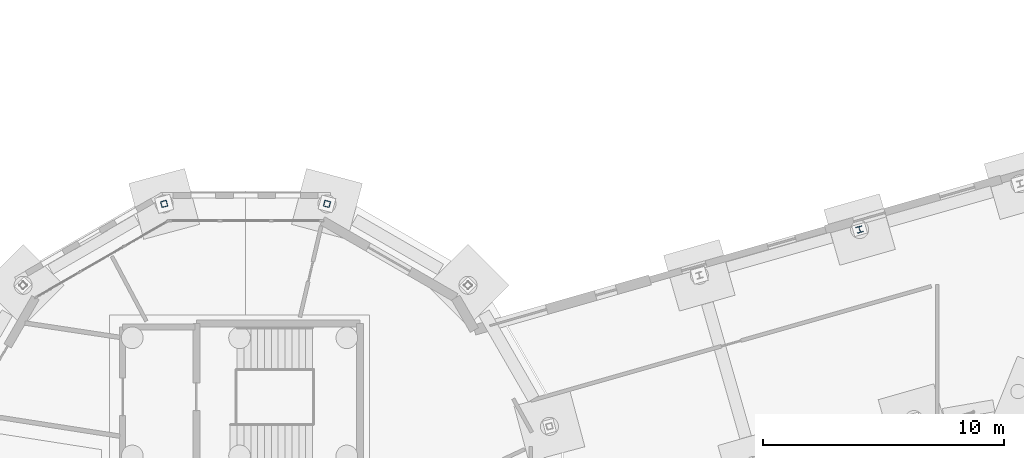
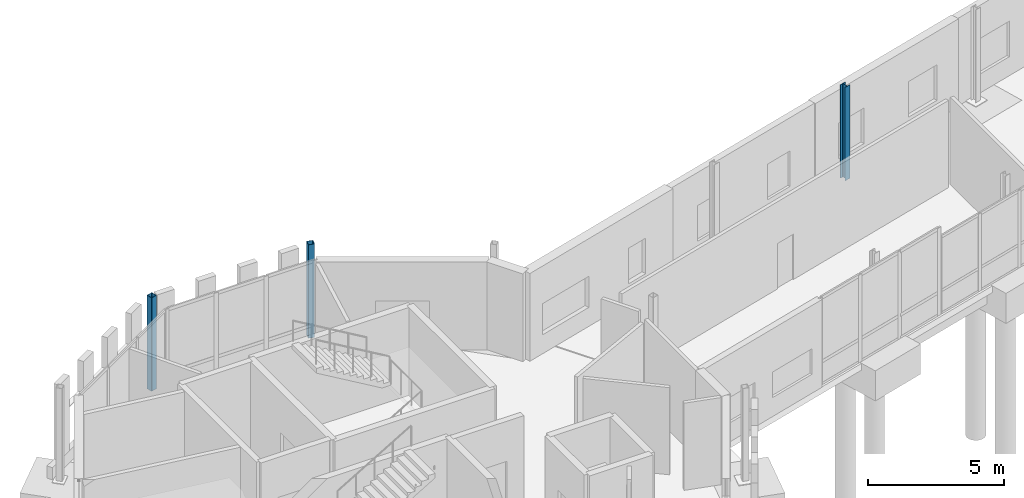
# One storey, part 16 of 113: 3 columns.
"""IFC4 building model written with IfcOpenShell, lengths in metres."""

from ifc_helpers import new_model, si_unit, direction, frame, origin, origin_2d, place, context, subcontext, project, spatial, hollow_rectangle, i_section, extrude, material, material_profile, profile_set, type_object, element, save


model = new_model("IFC4")

# Units and contexts
model_context = context("Model", 3, precision=1e-05, world=origin(), true_north=direction((0.0, 1.0)))
body_context = subcontext(model_context, "Body", "Model", "MODEL_VIEW")
ifc_project = project(units=[si_unit("LENGTHUNIT", "METRE"), si_unit("AREAUNIT", "SQUARE_METRE"), si_unit("VOLUMEUNIT", "CUBIC_METRE"), si_unit("PLANEANGLEUNIT", "RADIAN"), si_unit("MASSUNIT", "GRAM", prefix="KILO")], contexts=[model_context])

# Site, building, storey
site_placement = place(None, origin())
site = spatial("IfcSite", under=ifc_project, at=site_placement, CompositionType="ELEMENT")
building_placement = place(site_placement, origin())
building = spatial("IfcBuilding", under=site, at=building_placement, Name="Wrenclough Park School", CompositionType="ELEMENT")
storey_placement = place(building_placement, origin())
storey = spatial("IfcBuildingStorey", under=building, at=storey_placement, Name="L00", CompositionType="ELEMENT", Elevation=0.0)

# Columns
ifc_material = material(Name="Structural steel S355", Category="steel")
ifc_material_profile_1 = material_profile(ifc_material, hollow_rectangle(XDim=0.25, YDim=0.25, WallThickness=0.012451171875, InnerFilletRadius=0.012451171875, OuterFilletRadius=0.018798828125, at=origin_2d()), Name="SHS 250x250x12.5")
ifc_profile_set_1 = profile_set([ifc_material_profile_1], Name="Structural steel S355")
column_type_1 = type_object("IfcColumnType", Name="STR-COL-SHS250", PredefinedType="COLUMN", material=ifc_profile_set_1)
for number, where, z_axis, x_axis, name in (
    (1, (19.877685546875, 102.105224609375, 0.0), (0.0, 0.0, 1.0), (-0.965925826289, 0.258819045103, 0.0), "D3 L00 column D3-OUT-03"),
    (2, (13.122314453125, 102.105224609375, 0.0), (0.0, 0.0, 1.0), (-0.965925826289, -0.258819045103, 0.0), "D3 L00 column D3-OUT-04"),
):
    element("IfcColumn", number, at=place(storey_placement, frame(where, z_axis=z_axis, x_axis=x_axis)), inside=storey, type_object=column_type_1, Name=name, PredefinedType="COLUMN", context=body_context, shape_type="SweptSolid", body=[
        extrude(hollow_rectangle(XDim=0.25, YDim=0.25, WallThickness=0.012451171875, InnerFilletRadius=0.012451171875, OuterFilletRadius=0.018798828125, at=origin_2d()), origin(), (0.0, 0.0, 1.0), 4.199951171875),
    ])
ifc_material_profile_2 = material_profile(ifc_material, i_section(OverallWidth=0.254638671875, OverallDepth=0.254150390625, WebThickness=0.008544921875, FlangeThickness=0.01416015625, FilletRadius=0.0126953125, at=origin_2d()), Name="UKC 254x254x73")
ifc_profile_set_2 = profile_set([ifc_material_profile_2], Name="Structural steel S355")
column_type_2 = type_object("IfcColumnType", Name="STR-COL-UKC254A", PredefinedType="COLUMN", material=ifc_profile_set_2)
column_placement = place(storey_placement, frame((41.9736328125, 101.042236328125, 0.0), z_axis=(0.0, 0.0, 1.0), x_axis=(0.961501868857, 0.27479839189, 0.0)))
element("IfcColumn", 3, at=column_placement, inside=storey, type_object=column_type_2, Name="W34 L00 column W34-C1-L04", PredefinedType="COLUMN", context=body_context, shape_type="SweptSolid", body=[
    extrude(i_section(OverallWidth=0.254638671875, OverallDepth=0.254150390625, WebThickness=0.008544921875, FlangeThickness=0.01416015625, FilletRadius=0.0126953125, at=origin_2d()), origin(), (0.0, 0.0, 1.0), 4.199951171875),
])

save(model, "model.ifc")
